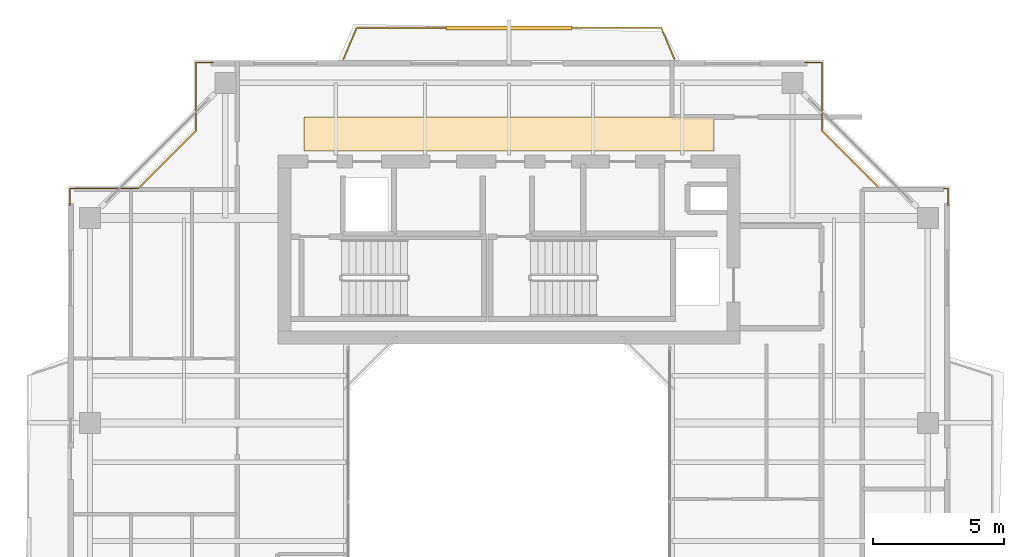
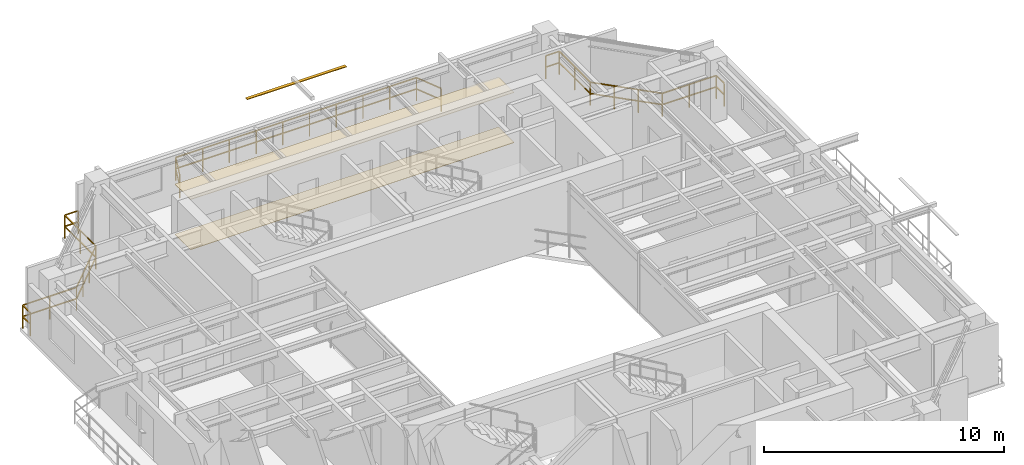
# One storey, part 16 of 16: 3 railings, 2 coverings, 1 shading device.
"""IFC4 building model written with IfcOpenShell, lengths in metres."""

from ifc_helpers import new_model, si_unit, direction, frame, origin, origin_2d, place, context, subcontext, project, spatial, polyline, rectangle, outline, extrude, source, transform, mapped, material, layer, layer_set, material_profile, profile_set, type_object, element, save


model = new_model("IFC4")

# Units and contexts
model_context = context("Model", 3, precision=1e-05, world=origin(), true_north=direction((0.0, 1.0)))
body_context = subcontext(model_context, "Body", "Model", "MODEL_VIEW")
ifc_project = project(units=[si_unit("LENGTHUNIT", "METRE"), si_unit("AREAUNIT", "SQUARE_METRE"), si_unit("VOLUMEUNIT", "CUBIC_METRE"), si_unit("PLANEANGLEUNIT", "RADIAN"), si_unit("MASSUNIT", "GRAM", prefix="KILO"), si_unit("THERMODYNAMICTEMPERATUREUNIT", "KELVIN"), si_unit("POWERUNIT", "WATT")], contexts=[model_context])

# Site, building, storey
site_placement = place(None, origin())
site = spatial("IfcSite", under=ifc_project, at=site_placement, CompositionType="ELEMENT")
building_placement = place(site_placement, origin())
building = spatial("IfcBuilding", under=site, at=building_placement, Name="Qiaomeng Ring Towers", CompositionType="ELEMENT")
storey_placement = place(building_placement, frame((0.0, 0.0, 197.0)))
storey = spatial("IfcBuildingStorey", under=building, at=storey_placement, Name="L57", CompositionType="ELEMENT", Elevation=197.0)

# Coverings
ifc_material_1 = material(Name="Moisture-resistant gypsum ceiling board", Category="gypsum")
ifc_layer_1 = layer(ifc_material_1, 0.030029296875, Name="Moisture-resistant gypsum ceiling board")
ifc_layer_set_1 = layer_set([ifc_layer_1], Name="Moisture-resistant gypsum ceiling board")
covering_type_1 = type_object("IfcCoveringType", Name="ARC-COV-CEIL2", PredefinedType="CEILING", material=ifc_layer_set_1)
covering_1_placement = place(storey_placement, frame((0.0, 0.0, 2.550048828125)))
element("IfcCovering", 1, at=covering_1_placement, inside=storey, type_object=covering_type_1, Name="L57 Corridor Acoustic Ceiling", PredefinedType="CEILING", context=body_context, shape_type="SweptSolid", body=[
    extrude(outline(polyline([(11.199951171875, 36.35009765625), (11.199951171875, 37.64990234375), (26.800048828125, 37.64990234375), (26.800048828125, 36.35009765625), (11.199951171875, 36.35009765625)])), origin(), (0.0, 0.0, 1.0), 0.02490234375),
])
ifc_material_2 = material(Name="Vitrified porcelain floor tile", Category="ceramic")
ifc_layer_2 = layer(ifc_material_2, 0.02001953125, Name="Vitrified porcelain floor tile")
ifc_layer_set_2 = layer_set([ifc_layer_2], Name="Vitrified porcelain floor tile")
covering_type_2 = type_object("IfcCoveringType", Name="ARC-COV-FLR1", PredefinedType="FLOORING", material=ifc_layer_set_2)
covering_2_placement = place(storey_placement, origin())
element("IfcCovering", 2, at=covering_2_placement, inside=storey, type_object=covering_type_2, Name="L57 Corridor Stone Flooring", PredefinedType="FLOORING", context=body_context, shape_type="SweptSolid", body=[
    extrude(outline(polyline([(11.199951171875, 36.35009765625), (11.199951171875, 37.64990234375), (26.800048828125, 37.64990234375), (26.800048828125, 36.35009765625), (11.199951171875, 36.35009765625)])), origin(), (0.0, 0.0, 1.0), 0.02001953125),
])

# Railings
ifc_material_3 = material(Name="Low-E pale-green laminated safety glass", Category="glass")
railing_type = type_object("IfcRailingType", Name="ARC-RL-BAL1", PredefinedType="BALUSTRADE", material=ifc_material_3)
railing_1_placement = place(storey_placement, frame((35.719970703125, 34.27001953125, 0.0)))
element("IfcRailing", 3, at=railing_1_placement, inside=storey, type_object=railing_type, Name="L57 Balustrade ARC-BAL-NOTCH1-L57-NE", PredefinedType="BALUSTRADE", context=body_context, shape_type="SweptSolid", body=[
    extrude(rectangle(XDim=0.048095703125, YDim=0.048095703125, at=origin_2d()), frame((0.0, 0.0, 1.17578125), z_axis=(0.0, 1.0, 0.0), x_axis=(-1.0, 0.0, 0.0)), (0.0, 0.0, 1.0), 0.64990234375),
    extrude(rectangle(XDim=0.048095703125, YDim=0.048095703125, at=origin_2d()), frame((0.0, 0.0, 0.60009765625), z_axis=(0.0, 1.0, 0.0), x_axis=(-1.0, 0.0, 0.0)), (0.0, 0.0, 1.0), 0.64990234375),
    extrude(rectangle(XDim=0.048095703125, YDim=0.048095703125, at=origin_2d()), frame((0.0, 0.64990234375, 1.17578125), z_axis=(-1.0, 0.0, 0.0), x_axis=(0.0, -1.0, 0.0)), (0.0, 0.0, 1.0), 2.599853515625),
    extrude(rectangle(XDim=0.048095703125, YDim=0.048095703125, at=origin_2d()), frame((0.0, 0.64990234375, 0.60009765625), z_axis=(-1.0, 0.0, 0.0), x_axis=(0.0, -1.0, 0.0)), (0.0, 0.0, 1.0), 2.599853515625),
    extrude(rectangle(XDim=0.048095703125, YDim=0.048095703125, at=origin_2d()), frame((-2.599853515625, 0.64990234375, 1.17578125), z_axis=(-0.707106781187, 0.707106781187, 0.0), x_axis=(-0.707106781187, -0.707106781187, 0.0)), (0.0, 0.0, 1.0), 3.111572265625),
    extrude(rectangle(XDim=0.048095703125, YDim=0.048095703125, at=origin_2d()), frame((-2.599853515625, 0.64990234375, 0.60009765625), z_axis=(-0.707106781187, 0.707106781187, 0.0), x_axis=(-0.707106781187, -0.707106781187, 0.0)), (0.0, 0.0, 1.0), 3.111572265625),
    extrude(rectangle(XDim=0.048095703125, YDim=0.048095703125, at=origin_2d()), frame((-4.800048828125, 2.85009765625, 1.17578125), z_axis=(0.0, 1.0, 0.0), x_axis=(-1.0, 0.0, 0.0)), (0.0, 0.0, 1.0), 2.599853515625),
    extrude(rectangle(XDim=0.048095703125, YDim=0.048095703125, at=origin_2d()), frame((-4.800048828125, 2.85009765625, 0.60009765625), z_axis=(0.0, 1.0, 0.0), x_axis=(-1.0, 0.0, 0.0)), (0.0, 0.0, 1.0), 2.599853515625),
    extrude(rectangle(XDim=0.048095703125, YDim=0.048095703125, at=origin_2d()), frame((-4.800048828125, 5.449951171875, 1.17578125), z_axis=(-1.0, 0.0, 0.0), x_axis=(0.0, -1.0, 0.0)), (0.0, 0.0, 1.0), 0.64990234375),
    extrude(rectangle(XDim=0.048095703125, YDim=0.048095703125, at=origin_2d()), frame((-4.800048828125, 5.449951171875, 0.60009765625), z_axis=(-1.0, 0.0, 0.0), x_axis=(0.0, -1.0, 0.0)), (0.0, 0.0, 1.0), 0.64990234375),
    extrude(rectangle(XDim=0.0419921875, YDim=0.0419921875, at=origin_2d()), origin(), (0.0, 0.0, 1.0), 1.15185546875),
    extrude(rectangle(XDim=0.0419921875, YDim=0.0419921875, at=origin_2d()), frame((0.0, 0.64990234375, 0.0)), (0.0, 0.0, 1.0), 1.15185546875),
    extrude(rectangle(XDim=0.0419921875, YDim=0.0419921875, at=origin_2d()), frame((-1.2998046875, 0.64990234375, 0.0)), (0.0, 0.0, 1.0), 1.15185546875),
    extrude(rectangle(XDim=0.0419921875, YDim=0.0419921875, at=origin_2d()), frame((-2.599853515625, 0.64990234375, 0.0)), (0.0, 0.0, 1.0), 1.15185546875),
    extrude(rectangle(XDim=0.0419921875, YDim=0.0419921875, at=origin_2d()), frame((-3.333251953125, 1.38330078125, 0.0)), (0.0, 0.0, 1.0), 1.15185546875),
    extrude(rectangle(XDim=0.0419921875, YDim=0.0419921875, at=origin_2d()), frame((-4.066650390625, 2.11669921875, 0.0)), (0.0, 0.0, 1.0), 1.15185546875),
    extrude(rectangle(XDim=0.0419921875, YDim=0.0419921875, at=origin_2d()), frame((-4.800048828125, 2.85009765625, 0.0)), (0.0, 0.0, 1.0), 1.15185546875),
    extrude(rectangle(XDim=0.0419921875, YDim=0.0419921875, at=origin_2d()), frame((-4.800048828125, 4.14990234375, 0.0)), (0.0, 0.0, 1.0), 1.15185546875),
    extrude(rectangle(XDim=0.0419921875, YDim=0.0419921875, at=origin_2d()), frame((-4.800048828125, 5.449951171875, 0.0)), (0.0, 0.0, 1.0), 1.15185546875),
    extrude(rectangle(XDim=0.0419921875, YDim=0.0419921875, at=origin_2d()), frame((-5.449951171875, 5.449951171875, 0.0)), (0.0, 0.0, 1.0), 1.15185546875),
])
railing_2_placement = place(storey_placement, frame((7.72998046875, 39.719970703125, 0.0)))
element("IfcRailing", 4, at=railing_2_placement, inside=storey, type_object=railing_type, Name="L57 Balustrade ARC-BAL-NOTCH1-L57-NW", PredefinedType="BALUSTRADE", context=body_context, shape_type="SweptSolid", body=[
    extrude(rectangle(XDim=0.048095703125, YDim=0.048095703125, at=origin_2d()), frame((0.0, 0.0, 1.17578125), z_axis=(-1.0, 0.0, 0.0), x_axis=(0.0, -1.0, 0.0)), (0.0, 0.0, 1.0), 0.64990234375),
    extrude(rectangle(XDim=0.048095703125, YDim=0.048095703125, at=origin_2d()), frame((0.0, 0.0, 0.60009765625), z_axis=(-1.0, 0.0, 0.0), x_axis=(0.0, -1.0, 0.0)), (0.0, 0.0, 1.0), 0.64990234375),
    extrude(rectangle(XDim=0.048095703125, YDim=0.048095703125, at=origin_2d()), frame((-0.64990234375, 0.0, 1.17578125), z_axis=(0.0, -1.0, 0.0), x_axis=(1.0, 0.0, 0.0)), (0.0, 0.0, 1.0), 2.599853515625),
    extrude(rectangle(XDim=0.048095703125, YDim=0.048095703125, at=origin_2d()), frame((-0.64990234375, 0.0, 0.60009765625), z_axis=(0.0, -1.0, 0.0), x_axis=(1.0, 0.0, 0.0)), (0.0, 0.0, 1.0), 2.599853515625),
    extrude(rectangle(XDim=0.048095703125, YDim=0.048095703125, at=origin_2d()), frame((-0.64990234375, -2.599853515625, 1.17578125), z_axis=(-0.707106781187, -0.707106781187, 0.0), x_axis=(0.707106781187, -0.707106781187, 0.0)), (0.0, 0.0, 1.0), 3.111572265625),
    extrude(rectangle(XDim=0.048095703125, YDim=0.048095703125, at=origin_2d()), frame((-0.64990234375, -2.599853515625, 0.60009765625), z_axis=(-0.707106781187, -0.707106781187, 0.0), x_axis=(0.707106781187, -0.707106781187, 0.0)), (0.0, 0.0, 1.0), 3.111572265625),
    extrude(rectangle(XDim=0.048095703125, YDim=0.048095703125, at=origin_2d()), frame((-2.85009765625, -4.800048828125, 1.17578125), z_axis=(-1.0, 0.0, 0.0), x_axis=(0.0, -1.0, 0.0)), (0.0, 0.0, 1.0), 2.599853515625),
    extrude(rectangle(XDim=0.048095703125, YDim=0.048095703125, at=origin_2d()), frame((-2.85009765625, -4.800048828125, 0.60009765625), z_axis=(-1.0, 0.0, 0.0), x_axis=(0.0, -1.0, 0.0)), (0.0, 0.0, 1.0), 2.599853515625),
    extrude(rectangle(XDim=0.048095703125, YDim=0.048095703125, at=origin_2d()), frame((-5.449951171875, -4.800048828125, 1.17578125), z_axis=(0.0, -1.0, 0.0), x_axis=(1.0, 0.0, 0.0)), (0.0, 0.0, 1.0), 0.64990234375),
    extrude(rectangle(XDim=0.048095703125, YDim=0.048095703125, at=origin_2d()), frame((-5.449951171875, -4.800048828125, 0.60009765625), z_axis=(0.0, -1.0, 0.0), x_axis=(1.0, 0.0, 0.0)), (0.0, 0.0, 1.0), 0.64990234375),
    extrude(rectangle(XDim=0.0419921875, YDim=0.0419921875, at=origin_2d()), origin(), (0.0, 0.0, 1.0), 1.15185546875),
    extrude(rectangle(XDim=0.0419921875, YDim=0.0419921875, at=origin_2d()), frame((-0.64990234375, 0.0, 0.0)), (0.0, 0.0, 1.0), 1.15185546875),
    extrude(rectangle(XDim=0.0419921875, YDim=0.0419921875, at=origin_2d()), frame((-0.64990234375, -1.2998046875, 0.0)), (0.0, 0.0, 1.0), 1.15185546875),
    extrude(rectangle(XDim=0.0419921875, YDim=0.0419921875, at=origin_2d()), frame((-0.64990234375, -2.599853515625, 0.0)), (0.0, 0.0, 1.0), 1.15185546875),
    extrude(rectangle(XDim=0.0419921875, YDim=0.0419921875, at=origin_2d()), frame((-1.38330078125, -3.333251953125, 0.0)), (0.0, 0.0, 1.0), 1.15185546875),
    extrude(rectangle(XDim=0.0419921875, YDim=0.0419921875, at=origin_2d()), frame((-2.11669921875, -4.066650390625, 0.0)), (0.0, 0.0, 1.0), 1.15185546875),
    extrude(rectangle(XDim=0.0419921875, YDim=0.0419921875, at=origin_2d()), frame((-2.85009765625, -4.800048828125, 0.0)), (0.0, 0.0, 1.0), 1.15185546875),
    extrude(rectangle(XDim=0.0419921875, YDim=0.0419921875, at=origin_2d()), frame((-4.14990234375, -4.800048828125, 0.0)), (0.0, 0.0, 1.0), 1.15185546875),
    extrude(rectangle(XDim=0.0419921875, YDim=0.0419921875, at=origin_2d()), frame((-5.449951171875, -4.800048828125, 0.0)), (0.0, 0.0, 1.0), 1.15185546875),
    extrude(rectangle(XDim=0.0419921875, YDim=0.0419921875, at=origin_2d()), frame((-5.449951171875, -5.449951171875, 0.0)), (0.0, 0.0, 1.0), 1.15185546875),
])
railing_3_placement = place(storey_placement, frame((12.699951171875, 39.85009765625, 0.0)))
element("IfcRailing", 5, at=railing_3_placement, inside=storey, type_object=railing_type, Name="L57 Balustrade ARC-BAL-L57-T1-N", PredefinedType="BALUSTRADE", context=body_context, shape_type="SweptSolid", body=[
    extrude(rectangle(XDim=0.048095703125, YDim=0.048095703125, at=origin_2d()), frame((0.0, 0.0, 1.17578125), z_axis=(0.387380404006, 0.921919965394, 0.0), x_axis=(-0.921919965394, 0.387380404006, 0.0)), (0.0, 0.0, 1.0), 1.290771484375),
    extrude(rectangle(XDim=0.048095703125, YDim=0.048095703125, at=origin_2d()), frame((0.0, 0.0, 0.60009765625), z_axis=(0.387380404006, 0.921919965394, 0.0), x_axis=(-0.921919965394, 0.387380404006, 0.0)), (0.0, 0.0, 1.0), 1.290771484375),
    extrude(rectangle(XDim=0.048095703125, YDim=0.048095703125, at=origin_2d()), frame((0.5, 1.18994140625, 1.17578125), z_axis=(1.0, 0.0, 0.0), x_axis=(0.0, 1.0, 0.0)), (0.0, 0.0, 1.0), 11.60009765625),
    extrude(rectangle(XDim=0.048095703125, YDim=0.048095703125, at=origin_2d()), frame((0.5, 1.18994140625, 0.60009765625), z_axis=(1.0, 0.0, 0.0), x_axis=(0.0, 1.0, 0.0)), (0.0, 0.0, 1.0), 11.60009765625),
    extrude(rectangle(XDim=0.048095703125, YDim=0.048095703125, at=origin_2d()), frame((12.10009765625, 1.18994140625, 1.17578125), z_axis=(0.387380404006, -0.921919965394, 0.0), x_axis=(0.921919965394, 0.387380404006, 0.0)), (0.0, 0.0, 1.0), 1.290771484375),
    extrude(rectangle(XDim=0.048095703125, YDim=0.048095703125, at=origin_2d()), frame((12.10009765625, 1.18994140625, 0.60009765625), z_axis=(0.387380404006, -0.921919965394, 0.0), x_axis=(0.921919965394, 0.387380404006, 0.0)), (0.0, 0.0, 1.0), 1.290771484375),
    extrude(rectangle(XDim=0.0419921875, YDim=0.0419921875, at=origin_2d()), origin(), (0.0, 0.0, 1.0), 1.15185546875),
    extrude(rectangle(XDim=0.0419921875, YDim=0.0419921875, at=origin_2d()), frame((0.5, 1.18994140625, 0.0)), (0.0, 0.0, 1.0), 1.15185546875),
    extrude(rectangle(XDim=0.0419921875, YDim=0.0419921875, at=origin_2d()), frame((1.788818359375, 1.18994140625, 0.0)), (0.0, 0.0, 1.0), 1.15185546875),
    extrude(rectangle(XDim=0.0419921875, YDim=0.0419921875, at=origin_2d()), frame((3.077880859375, 1.18994140625, 0.0)), (0.0, 0.0, 1.0), 1.15185546875),
    extrude(rectangle(XDim=0.0419921875, YDim=0.0419921875, at=origin_2d()), frame((4.36669921875, 1.18994140625, 0.0)), (0.0, 0.0, 1.0), 1.15185546875),
    extrude(rectangle(XDim=0.0419921875, YDim=0.0419921875, at=origin_2d()), frame((5.655517578125, 1.18994140625, 0.0)), (0.0, 0.0, 1.0), 1.15185546875),
    extrude(rectangle(XDim=0.0419921875, YDim=0.0419921875, at=origin_2d()), frame((6.944580078125, 1.18994140625, 0.0)), (0.0, 0.0, 1.0), 1.15185546875),
    extrude(rectangle(XDim=0.0419921875, YDim=0.0419921875, at=origin_2d()), frame((8.2333984375, 1.18994140625, 0.0)), (0.0, 0.0, 1.0), 1.15185546875),
    extrude(rectangle(XDim=0.0419921875, YDim=0.0419921875, at=origin_2d()), frame((9.522216796875, 1.18994140625, 0.0)), (0.0, 0.0, 1.0), 1.15185546875),
    extrude(rectangle(XDim=0.0419921875, YDim=0.0419921875, at=origin_2d()), frame((10.811279296875, 1.18994140625, 0.0)), (0.0, 0.0, 1.0), 1.15185546875),
    extrude(rectangle(XDim=0.0419921875, YDim=0.0419921875, at=origin_2d()), frame((12.10009765625, 1.18994140625, 0.0)), (0.0, 0.0, 1.0), 1.15185546875),
    extrude(rectangle(XDim=0.0419921875, YDim=0.0419921875, at=origin_2d()), frame((12.60009765625, 0.0, 0.0)), (0.0, 0.0, 1.0), 1.15185546875),
])

# Shading device
ifc_material_4 = material(Name="Fluorocarbon dark-grey aluminium", Category="aluminium")
ifc_material_profile = material_profile(ifc_material_4, rectangle(XDim=0.14990234375, YDim=0.034912109375, at=origin_2d()), Name="LV BLADE 150x35")
ifc_profile_set = profile_set([ifc_material_profile], Name="Fluorocarbon dark-grey aluminium")
shading_device_type = type_object("IfcShadingDeviceType", Name="ARC-SHD-SUN", PredefinedType="AWNING", material=ifc_profile_set)
shared_shape = source(origin(), body_context, "Body", "SweptSolid", [
    extrude(rectangle(XDim=0.14990234375, YDim=0.034912109375, at=origin_2d()), origin(), (0.0, 0.0, 1.0), 4.7998046875),
])
shading_device_placement = place(storey_placement, frame((16.60009765625, 41.0400390625, 2.969970703125), z_axis=(1.0, 0.0, 0.0), x_axis=(0.0, 1.0, 0.0)))
element("IfcShadingDevice", 6, at=shading_device_placement, inside=storey, type_object=shading_device_type, Name="L57 Ventilated Outer-Skin Sunshade N", PredefinedType="AWNING", context=body_context, shape_type="MappedRepresentation", body=[
    mapped(shared_shape, transform((0.0, 0.0, 0.0), x_axis=(1.0, 0.0, 0.0), y_axis=(0.0, 1.0, 0.0), z_axis=(0.0, 0.0, 1.0), scale=1.0)),
])

save(model, "model.ifc")
